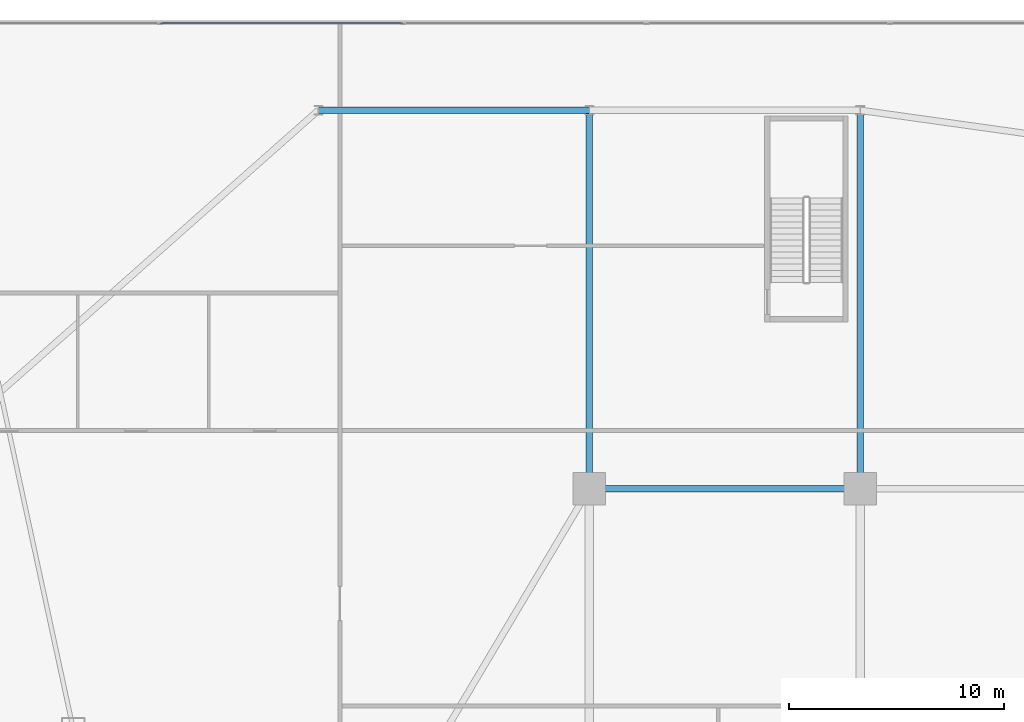
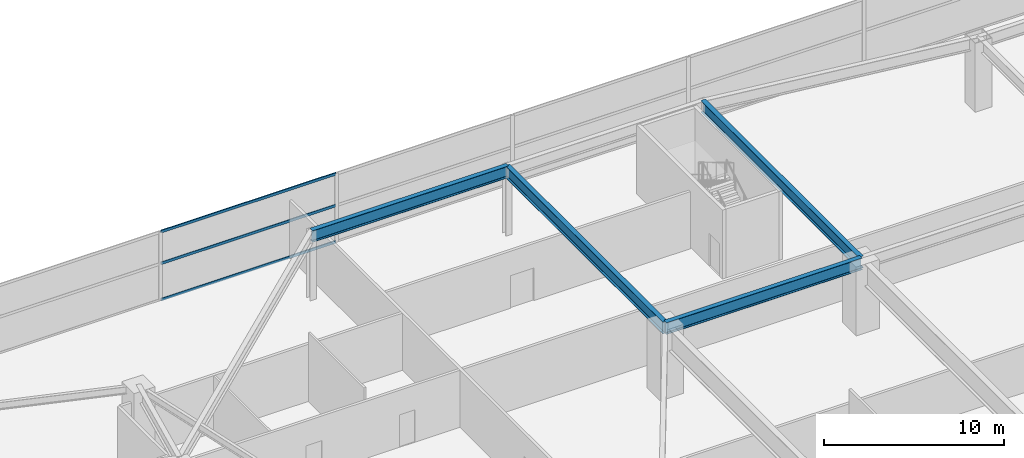
# One storey, part 18 of 35: 4 beams, 3 members, 1 element without a shape of its own.
"""IFC4 building model written with IfcOpenShell, lengths in metres."""

from ifc_helpers import new_model, si_unit, direction, frame, origin, origin_2d, place, context, subcontext, project, spatial, hollow_rectangle, i_section, extrude, material, layer, layer_set, material_profile, profile_set, type_object, element, aggregate, save


model = new_model("IFC4")

# Units and contexts
model_context = context("Model", 3, precision=1e-05, world=origin(), true_north=direction((0.0, 1.0)))
body_context = subcontext(model_context, "Body", "Model", "MODEL_VIEW")
ifc_project = project(units=[si_unit("LENGTHUNIT", "METRE"), si_unit("AREAUNIT", "SQUARE_METRE"), si_unit("VOLUMEUNIT", "CUBIC_METRE"), si_unit("PLANEANGLEUNIT", "RADIAN"), si_unit("MASSUNIT", "GRAM", prefix="KILO")], contexts=[model_context])

# Site, building, storey
site_placement = place(None, origin())
site = spatial("IfcSite", under=ifc_project, at=site_placement, CompositionType="ELEMENT")
building_placement = place(site_placement, origin())
building = spatial("IfcBuilding", under=site, at=building_placement, Name="Calvorn Quay Hotel", CompositionType="ELEMENT")
storey_placement = place(building_placement, frame((0.0, 0.0, 12.0)))
storey = spatial("IfcBuildingStorey", under=building, at=storey_placement, Name="L02", CompositionType="ELEMENT", Elevation=12.0)

# Beams
ifc_material_1 = material(Name="Steel Q390GJC", Category="steel")
ifc_material_profile_1 = material_profile(ifc_material_1, i_section(OverallWidth=0.300048828125, OverallDepth=0.800048828125, WebThickness=0.013916015625, FlangeThickness=0.02587890625, FilletRadius=0.02392578125, at=origin_2d()), Name="HN800x300x14x26")
ifc_profile_set_1 = profile_set([ifc_material_profile_1], Name="Steel Q390GJC")
beam_type = type_object("IfcBeamType", Name="BM-GIRD-POD", PredefinedType="BEAM", material=ifc_profile_set_1)
for number, where, z_axis, x_axis, name in (
    (1, (45.0, 36.199951171875, 4.280029296875), (1.0, 0.0, 0.0), (0.0, 1.0, 0.0), "Beam BG-L02-PN2"),
    (2, (32.39990234375, 53.800048828125, 4.280029296875), (1.0, 0.0, 0.0), (0.0, 1.0, 0.0), "Beam BG-L02-PN5"),
):
    element("IfcBeam", number, at=place(storey_placement, frame(where, z_axis=z_axis, x_axis=x_axis)), inside=storey, type_object=beam_type, Name=name, PredefinedType="BEAM", context=body_context, shape_type="SweptSolid", body=[
        extrude(i_section(OverallWidth=0.300048828125, OverallDepth=0.800048828125, WebThickness=0.013916015625, FlangeThickness=0.02587890625, FilletRadius=0.02392578125, at=origin_2d()), origin(), (0.0, 0.0, 1.0), 12.60009765625),
    ])
for number, where, z_axis, x_axis, name in (
    (3, (45.0, 36.199951171875, 4.280029296875), (0.0, 1.0, 0.0), (-1.0, 0.0, 0.0), "Beam BG-L02-PN8"),
    (4, (57.60009765625, 36.199951171875, 4.280029296875), (0.0, 1.0, 0.0), (-1.0, 0.0, 0.0), "Beam BG-L02-PN9"),
):
    element("IfcBeam", number, at=place(storey_placement, frame(where, z_axis=z_axis, x_axis=x_axis)), inside=storey, type_object=beam_type, Name=name, PredefinedType="BEAM", context=body_context, shape_type="SweptSolid", body=[
        extrude(i_section(OverallWidth=0.300048828125, OverallDepth=0.800048828125, WebThickness=0.013916015625, FlangeThickness=0.02587890625, FilletRadius=0.02392578125, at=origin_2d()), origin(), (0.0, 0.0, 1.0), 17.60009765625),
    ])

# Curtain wall, members
ifc_material_2 = material(Name="Pale Anodised Aluminium and Low-E Glass", Category="aluminium")
ifc_layer = layer(ifc_material_2, 0.219970703125)
ifc_layer_set = layer_set([ifc_layer], Name="CW-SYS-POD")
curtain_wall_type = type_object("IfcCurtainWallType", Name="CW-SYS-POD", PredefinedType="NOTDEFINED", material=ifc_layer_set)
curtain_wall_placement = place(storey_placement, origin())
curtain_wall = element("IfcCurtainWall", 5, at=curtain_wall_placement, inside=storey, type_object=curtain_wall_type, Name="Podium Curtain Wall L02-N1", PredefinedType="NOTDEFINED")
ifc_material_3 = material(Name="Pale Anodised Aluminium 6063-T6", Category="aluminium")
ifc_material_profile_2 = material_profile(ifc_material_3, hollow_rectangle(XDim=0.070068359375, YDim=0.179931640625, WallThickness=0.00390625, at=origin_2d()), Name="ALU-T180x70x4")
ifc_profile_set_2 = profile_set([ifc_material_profile_2], Name="Pale Anodised Aluminium 6063-T6")
member_type = type_object("IfcMemberType", Name="CW-SYS-POD-TRN", PredefinedType="USERDEFINED", material=ifc_profile_set_2)
member_1_placement = place(storey_placement, frame((25.05859375, 57.85009765625, 0.030029296875), z_axis=(1.0, 0.0, 0.0), x_axis=(0.0, 1.0, 0.0)))
member_1 = element("IfcMember", 6, at=member_1_placement, type_object=member_type, Name="CW-L02-N1 transom 3.1", ObjectType="TRANSOM", PredefinedType="USERDEFINED", context=body_context, shape_type="SweptSolid", body=[
    extrude(hollow_rectangle(XDim=0.070068359375, YDim=0.179931640625, WallThickness=0.00390625, at=origin_2d()), origin(), (0.0, 0.0, 1.0), 11.254150390625),
])
member_2_placement = place(storey_placement, frame((25.05859375, 57.85009765625, 2.5), z_axis=(1.0, 0.0, 0.0), x_axis=(0.0, 1.0, 0.0)))
member_2 = element("IfcMember", 7, at=member_2_placement, type_object=member_type, Name="CW-L02-N1 transom 3.2", ObjectType="TRANSOM", PredefinedType="USERDEFINED", context=body_context, shape_type="SweptSolid", body=[
    extrude(hollow_rectangle(XDim=0.070068359375, YDim=0.179931640625, WallThickness=0.00390625, at=origin_2d()), origin(), (0.0, 0.0, 1.0), 11.254150390625),
])
member_3_placement = place(storey_placement, frame((25.05859375, 57.85009765625, 4.64990234375), z_axis=(1.0, 0.0, 0.0), x_axis=(0.0, 1.0, 0.0)))
member_3 = element("IfcMember", 8, at=member_3_placement, type_object=member_type, Name="CW-L02-N1 transom 3.3", ObjectType="TRANSOM", PredefinedType="USERDEFINED", context=body_context, shape_type="SweptSolid", body=[
    extrude(hollow_rectangle(XDim=0.070068359375, YDim=0.179931640625, WallThickness=0.00390625, at=origin_2d()), origin(), (0.0, 0.0, 1.0), 11.254150390625),
])
aggregate(curtain_wall, [member_1, member_2, member_3])

save(model, "model.ifc")
